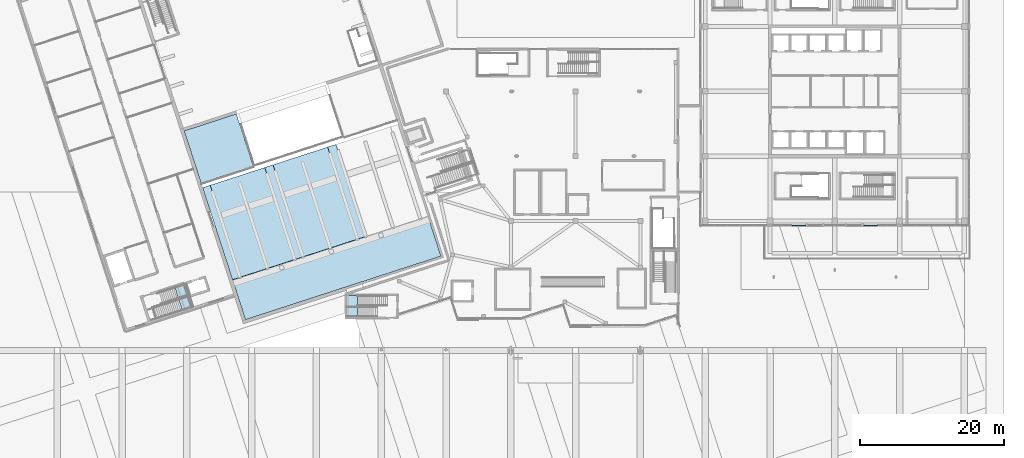
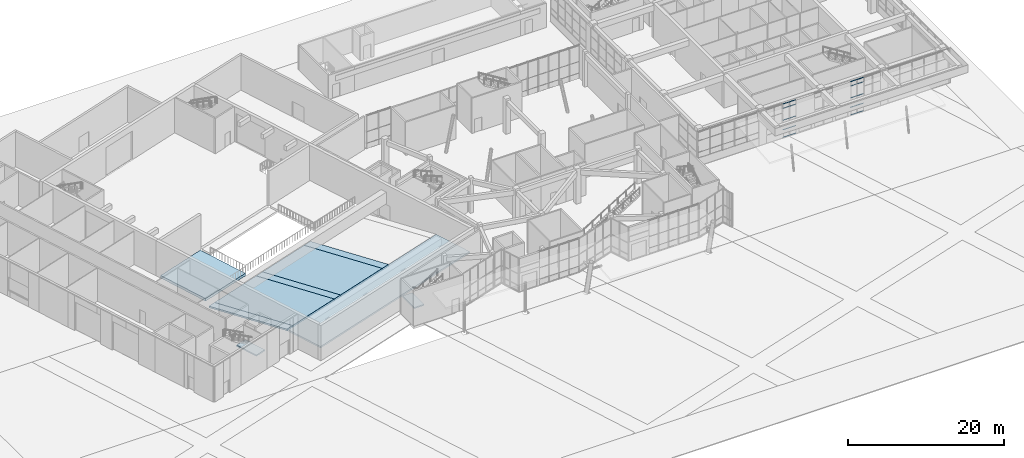
# One storey, part 42 of 72: 20 members, 9 slabs, 4 elements without a shape of their own.
"""IFC4 building model written with IfcOpenShell, lengths in metres."""

from ifc_helpers import new_model, si_unit, direction, frame, origin, origin_2d, place, context, subcontext, project, spatial, polyline, hollow_rectangle, outline, extrude, material, layer, layer_set, material_profile, profile_set, type_object, element, aggregate, save


model = new_model("IFC4")

# Units and contexts
model_context = context("Model", 3, precision=1e-05, world=origin(), true_north=direction((0.0, 1.0)))
body_context = subcontext(model_context, "Body", "Model", "MODEL_VIEW")
ifc_project = project(units=[si_unit("LENGTHUNIT", "METRE"), si_unit("AREAUNIT", "SQUARE_METRE"), si_unit("VOLUMEUNIT", "CUBIC_METRE"), si_unit("PLANEANGLEUNIT", "RADIAN"), si_unit("MASSUNIT", "GRAM", prefix="KILO")], contexts=[model_context])

# Site, building, storey
site_placement = place(None, origin())
site = spatial("IfcSite", under=ifc_project, at=site_placement, CompositionType="ELEMENT")
building_placement = place(site_placement, origin())
building = spatial("IfcBuilding", under=site, at=building_placement, Name="Tuart Plaza Theatre", CompositionType="ELEMENT")
storey_placement = place(building_placement, origin())
storey = spatial("IfcBuildingStorey", under=building, at=storey_placement, Name="L00", CompositionType="ELEMENT", Elevation=0.0)

# Curtain wall, members
ifc_material_1 = material(Name="Aluminium and glass", Category="aluminium")
ifc_layer_1 = layer(ifc_material_1, 0.10009765625)
ifc_layer_set_1 = layer_set([ifc_layer_1], Name="CURTAIN WALL 1000 module")
curtain_wall_type = type_object("IfcCurtainWallType", Name="CURTAIN WALL 1000 module", PredefinedType="NOTDEFINED", material=ifc_layer_set_1)
curtain_wall_1_placement = place(storey_placement, origin())
curtain_wall_1 = element("IfcCurtainWall", 1, at=curtain_wall_1_placement, inside=storey, type_object=curtain_wall_type, Name="CW62", PredefinedType="NOTDEFINED")
ifc_material_2 = material(Name="Aluminium 6063-T5", Category="aluminium")
ifc_material_profile = material_profile(ifc_material_2, hollow_rectangle(XDim=0.050048828125, YDim=0.050048828125, WallThickness=0.00390625, InnerFilletRadius=0.00390625, OuterFilletRadius=0.008056640625, at=origin_2d()), Name="RHS 50x50x4")
ifc_profile_set = profile_set([ifc_material_profile], Name="Aluminium 6063-T5")
member_type = type_object("IfcMemberType", Name="TRANSOM RHS 50x50x4", PredefinedType="USERDEFINED", material=ifc_profile_set)
member_1_placement = place(storey_placement, frame((126.050048828125, 55.35009765625, 0.02490234375), z_axis=(1.0, 0.0, 0.0), x_axis=(0.0, 1.0, 0.0)))
member_1 = element("IfcMember", 2, at=member_1_placement, type_object=member_type, Name="CW62 transom 1.1", ObjectType="TRANSOM", PredefinedType="USERDEFINED", context=body_context, shape_type="SweptSolid", body=[
    extrude(hollow_rectangle(XDim=0.050048828125, YDim=0.050048828125, WallThickness=0.00390625, InnerFilletRadius=0.00390625, OuterFilletRadius=0.008056640625, at=origin_2d()), origin(), (0.0, 0.0, 1.0), 0.925048828125),
])
member_2_placement = place(storey_placement, frame((126.050048828125, 55.35009765625, 1.199951171875), z_axis=(1.0, 0.0, 0.0), x_axis=(0.0, 1.0, 0.0)))
member_2 = element("IfcMember", 3, at=member_2_placement, type_object=member_type, Name="CW62 transom 1.2", ObjectType="TRANSOM", PredefinedType="USERDEFINED", context=body_context, shape_type="SweptSolid", body=[
    extrude(hollow_rectangle(XDim=0.050048828125, YDim=0.050048828125, WallThickness=0.00390625, InnerFilletRadius=0.00390625, OuterFilletRadius=0.008056640625, at=origin_2d()), origin(), (0.0, 0.0, 1.0), 0.925048828125),
])
member_3_placement = place(storey_placement, frame((126.050048828125, 55.35009765625, 2.699951171875), z_axis=(1.0, 0.0, 0.0), x_axis=(0.0, 1.0, 0.0)))
member_3 = element("IfcMember", 4, at=member_3_placement, type_object=member_type, Name="CW62 transom 1.3", ObjectType="TRANSOM", PredefinedType="USERDEFINED", context=body_context, shape_type="SweptSolid", body=[
    extrude(hollow_rectangle(XDim=0.050048828125, YDim=0.050048828125, WallThickness=0.00390625, InnerFilletRadius=0.00390625, OuterFilletRadius=0.008056640625, at=origin_2d()), origin(), (0.0, 0.0, 1.0), 0.925048828125),
])
member_4_placement = place(storey_placement, frame((126.050048828125, 55.35009765625, 4.550048828125), z_axis=(1.0, 0.0, 0.0), x_axis=(0.0, 1.0, 0.0)))
member_4 = element("IfcMember", 5, at=member_4_placement, type_object=member_type, Name="CW62 transom 1.4", ObjectType="TRANSOM", PredefinedType="USERDEFINED", context=body_context, shape_type="SweptSolid", body=[
    extrude(hollow_rectangle(XDim=0.050048828125, YDim=0.050048828125, WallThickness=0.00390625, InnerFilletRadius=0.00390625, OuterFilletRadius=0.008056640625, at=origin_2d()), origin(), (0.0, 0.0, 1.0), 0.925048828125),
])
member_5_placement = place(storey_placement, frame((126.050048828125, 55.35009765625, 5.22509765625), z_axis=(1.0, 0.0, 0.0), x_axis=(0.0, 1.0, 0.0)))
member_5 = element("IfcMember", 6, at=member_5_placement, type_object=member_type, Name="CW62 transom 1.5", ObjectType="TRANSOM", PredefinedType="USERDEFINED", context=body_context, shape_type="SweptSolid", body=[
    extrude(hollow_rectangle(XDim=0.050048828125, YDim=0.050048828125, WallThickness=0.00390625, InnerFilletRadius=0.00390625, OuterFilletRadius=0.008056640625, at=origin_2d()), origin(), (0.0, 0.0, 1.0), 0.925048828125),
])
member_6_placement = place(storey_placement, frame((127.02490234375, 55.35009765625, 0.02490234375), z_axis=(1.0, 0.0, 0.0), x_axis=(0.0, 1.0, 0.0)))
member_6 = element("IfcMember", 7, at=member_6_placement, type_object=member_type, Name="CW62 transom 2.1", ObjectType="TRANSOM", PredefinedType="USERDEFINED", context=body_context, shape_type="SweptSolid", body=[
    extrude(hollow_rectangle(XDim=0.050048828125, YDim=0.050048828125, WallThickness=0.00390625, InnerFilletRadius=0.00390625, OuterFilletRadius=0.008056640625, at=origin_2d()), origin(), (0.0, 0.0, 1.0), 0.925048828125),
])
member_7_placement = place(storey_placement, frame((127.02490234375, 55.35009765625, 1.199951171875), z_axis=(1.0, 0.0, 0.0), x_axis=(0.0, 1.0, 0.0)))
member_7 = element("IfcMember", 8, at=member_7_placement, type_object=member_type, Name="CW62 transom 2.2", ObjectType="TRANSOM", PredefinedType="USERDEFINED", context=body_context, shape_type="SweptSolid", body=[
    extrude(hollow_rectangle(XDim=0.050048828125, YDim=0.050048828125, WallThickness=0.00390625, InnerFilletRadius=0.00390625, OuterFilletRadius=0.008056640625, at=origin_2d()), origin(), (0.0, 0.0, 1.0), 0.925048828125),
])
member_8_placement = place(storey_placement, frame((127.02490234375, 55.35009765625, 2.699951171875), z_axis=(1.0, 0.0, 0.0), x_axis=(0.0, 1.0, 0.0)))
member_8 = element("IfcMember", 9, at=member_8_placement, type_object=member_type, Name="CW62 transom 2.3", ObjectType="TRANSOM", PredefinedType="USERDEFINED", context=body_context, shape_type="SweptSolid", body=[
    extrude(hollow_rectangle(XDim=0.050048828125, YDim=0.050048828125, WallThickness=0.00390625, InnerFilletRadius=0.00390625, OuterFilletRadius=0.008056640625, at=origin_2d()), origin(), (0.0, 0.0, 1.0), 0.925048828125),
])
member_9_placement = place(storey_placement, frame((127.02490234375, 55.35009765625, 4.550048828125), z_axis=(1.0, 0.0, 0.0), x_axis=(0.0, 1.0, 0.0)))
member_9 = element("IfcMember", 10, at=member_9_placement, type_object=member_type, Name="CW62 transom 2.4", ObjectType="TRANSOM", PredefinedType="USERDEFINED", context=body_context, shape_type="SweptSolid", body=[
    extrude(hollow_rectangle(XDim=0.050048828125, YDim=0.050048828125, WallThickness=0.00390625, InnerFilletRadius=0.00390625, OuterFilletRadius=0.008056640625, at=origin_2d()), origin(), (0.0, 0.0, 1.0), 0.925048828125),
])
member_10_placement = place(storey_placement, frame((127.02490234375, 55.35009765625, 5.22509765625), z_axis=(1.0, 0.0, 0.0), x_axis=(0.0, 1.0, 0.0)))
member_10 = element("IfcMember", 11, at=member_10_placement, type_object=member_type, Name="CW62 transom 2.5", ObjectType="TRANSOM", PredefinedType="USERDEFINED", context=body_context, shape_type="SweptSolid", body=[
    extrude(hollow_rectangle(XDim=0.050048828125, YDim=0.050048828125, WallThickness=0.00390625, InnerFilletRadius=0.00390625, OuterFilletRadius=0.008056640625, at=origin_2d()), origin(), (0.0, 0.0, 1.0), 0.925048828125),
])
aggregate(curtain_wall_1, [member_1, member_2, member_3, member_4, member_5, member_6, member_7, member_8, member_9, member_10])

curtain_wall_2_placement = place(storey_placement, origin())
curtain_wall_2 = element("IfcCurtainWall", 12, at=curtain_wall_2_placement, inside=storey, type_object=curtain_wall_type, Name="CW64", PredefinedType="NOTDEFINED")
member_11_placement = place(storey_placement, frame((136.050048828125, 55.35009765625, 0.02490234375), z_axis=(1.0, 0.0, 0.0), x_axis=(0.0, 1.0, 0.0)))
member_11 = element("IfcMember", 13, at=member_11_placement, type_object=member_type, Name="CW64 transom 1.1", ObjectType="TRANSOM", PredefinedType="USERDEFINED", context=body_context, shape_type="SweptSolid", body=[
    extrude(hollow_rectangle(XDim=0.050048828125, YDim=0.050048828125, WallThickness=0.00390625, InnerFilletRadius=0.00390625, OuterFilletRadius=0.008056640625, at=origin_2d()), origin(), (0.0, 0.0, 1.0), 0.925048828125),
])
member_12_placement = place(storey_placement, frame((136.050048828125, 55.35009765625, 1.199951171875), z_axis=(1.0, 0.0, 0.0), x_axis=(0.0, 1.0, 0.0)))
member_12 = element("IfcMember", 14, at=member_12_placement, type_object=member_type, Name="CW64 transom 1.2", ObjectType="TRANSOM", PredefinedType="USERDEFINED", context=body_context, shape_type="SweptSolid", body=[
    extrude(hollow_rectangle(XDim=0.050048828125, YDim=0.050048828125, WallThickness=0.00390625, InnerFilletRadius=0.00390625, OuterFilletRadius=0.008056640625, at=origin_2d()), origin(), (0.0, 0.0, 1.0), 0.925048828125),
])
member_13_placement = place(storey_placement, frame((136.050048828125, 55.35009765625, 2.699951171875), z_axis=(1.0, 0.0, 0.0), x_axis=(0.0, 1.0, 0.0)))
member_13 = element("IfcMember", 15, at=member_13_placement, type_object=member_type, Name="CW64 transom 1.3", ObjectType="TRANSOM", PredefinedType="USERDEFINED", context=body_context, shape_type="SweptSolid", body=[
    extrude(hollow_rectangle(XDim=0.050048828125, YDim=0.050048828125, WallThickness=0.00390625, InnerFilletRadius=0.00390625, OuterFilletRadius=0.008056640625, at=origin_2d()), origin(), (0.0, 0.0, 1.0), 0.925048828125),
])
member_14_placement = place(storey_placement, frame((136.050048828125, 55.35009765625, 4.550048828125), z_axis=(1.0, 0.0, 0.0), x_axis=(0.0, 1.0, 0.0)))
member_14 = element("IfcMember", 16, at=member_14_placement, type_object=member_type, Name="CW64 transom 1.4", ObjectType="TRANSOM", PredefinedType="USERDEFINED", context=body_context, shape_type="SweptSolid", body=[
    extrude(hollow_rectangle(XDim=0.050048828125, YDim=0.050048828125, WallThickness=0.00390625, InnerFilletRadius=0.00390625, OuterFilletRadius=0.008056640625, at=origin_2d()), origin(), (0.0, 0.0, 1.0), 0.925048828125),
])
member_15_placement = place(storey_placement, frame((136.050048828125, 55.35009765625, 5.22509765625), z_axis=(1.0, 0.0, 0.0), x_axis=(0.0, 1.0, 0.0)))
member_15 = element("IfcMember", 17, at=member_15_placement, type_object=member_type, Name="CW64 transom 1.5", ObjectType="TRANSOM", PredefinedType="USERDEFINED", context=body_context, shape_type="SweptSolid", body=[
    extrude(hollow_rectangle(XDim=0.050048828125, YDim=0.050048828125, WallThickness=0.00390625, InnerFilletRadius=0.00390625, OuterFilletRadius=0.008056640625, at=origin_2d()), origin(), (0.0, 0.0, 1.0), 0.925048828125),
])
member_16_placement = place(storey_placement, frame((137.02490234375, 55.35009765625, 0.02490234375), z_axis=(1.0, 0.0, 0.0), x_axis=(0.0, 1.0, 0.0)))
member_16 = element("IfcMember", 18, at=member_16_placement, type_object=member_type, Name="CW64 transom 2.1", ObjectType="TRANSOM", PredefinedType="USERDEFINED", context=body_context, shape_type="SweptSolid", body=[
    extrude(hollow_rectangle(XDim=0.050048828125, YDim=0.050048828125, WallThickness=0.00390625, InnerFilletRadius=0.00390625, OuterFilletRadius=0.008056640625, at=origin_2d()), origin(), (0.0, 0.0, 1.0), 0.925048828125),
])
member_17_placement = place(storey_placement, frame((137.02490234375, 55.35009765625, 1.199951171875), z_axis=(1.0, 0.0, 0.0), x_axis=(0.0, 1.0, 0.0)))
member_17 = element("IfcMember", 19, at=member_17_placement, type_object=member_type, Name="CW64 transom 2.2", ObjectType="TRANSOM", PredefinedType="USERDEFINED", context=body_context, shape_type="SweptSolid", body=[
    extrude(hollow_rectangle(XDim=0.050048828125, YDim=0.050048828125, WallThickness=0.00390625, InnerFilletRadius=0.00390625, OuterFilletRadius=0.008056640625, at=origin_2d()), origin(), (0.0, 0.0, 1.0), 0.925048828125),
])
member_18_placement = place(storey_placement, frame((137.02490234375, 55.35009765625, 2.699951171875), z_axis=(1.0, 0.0, 0.0), x_axis=(0.0, 1.0, 0.0)))
member_18 = element("IfcMember", 20, at=member_18_placement, type_object=member_type, Name="CW64 transom 2.3", ObjectType="TRANSOM", PredefinedType="USERDEFINED", context=body_context, shape_type="SweptSolid", body=[
    extrude(hollow_rectangle(XDim=0.050048828125, YDim=0.050048828125, WallThickness=0.00390625, InnerFilletRadius=0.00390625, OuterFilletRadius=0.008056640625, at=origin_2d()), origin(), (0.0, 0.0, 1.0), 0.925048828125),
])
member_19_placement = place(storey_placement, frame((137.02490234375, 55.35009765625, 4.550048828125), z_axis=(1.0, 0.0, 0.0), x_axis=(0.0, 1.0, 0.0)))
member_19 = element("IfcMember", 21, at=member_19_placement, type_object=member_type, Name="CW64 transom 2.4", ObjectType="TRANSOM", PredefinedType="USERDEFINED", context=body_context, shape_type="SweptSolid", body=[
    extrude(hollow_rectangle(XDim=0.050048828125, YDim=0.050048828125, WallThickness=0.00390625, InnerFilletRadius=0.00390625, OuterFilletRadius=0.008056640625, at=origin_2d()), origin(), (0.0, 0.0, 1.0), 0.925048828125),
])
member_20_placement = place(storey_placement, frame((137.02490234375, 55.35009765625, 5.22509765625), z_axis=(1.0, 0.0, 0.0), x_axis=(0.0, 1.0, 0.0)))
member_20 = element("IfcMember", 22, at=member_20_placement, type_object=member_type, Name="CW64 transom 2.5", ObjectType="TRANSOM", PredefinedType="USERDEFINED", context=body_context, shape_type="SweptSolid", body=[
    extrude(hollow_rectangle(XDim=0.050048828125, YDim=0.050048828125, WallThickness=0.00390625, InnerFilletRadius=0.00390625, OuterFilletRadius=0.008056640625, at=origin_2d()), origin(), (0.0, 0.0, 1.0), 0.925048828125),
])
aggregate(curtain_wall_2, [member_11, member_12, member_13, member_14, member_15, member_16, member_17, member_18, member_19, member_20])

# Slabs
ifc_material_3 = material(Name="Concrete N40 (40 MPa)", Category="concrete")
ifc_layer_2 = layer(ifc_material_3, 0.25)
ifc_layer_set_2 = layer_set([ifc_layer_2], Name="SLAB Floor 250 Concrete N40 (40 MPa)")
slab_type_1 = type_object("IfcSlabType", Name="SLAB Floor 250 Concrete N40 (40 MPa)", PredefinedType="FLOOR", material=ifc_layer_set_2)
slab_1_placement = place(storey_placement, frame((48.3447265625, 47.822509765625, 1.790283203125), z_axis=(-0.060591709871, 0.186519739079, 0.980580966381), x_axis=(0.951074837842, 0.308960600764, 0.0)))
element("IfcSlab", 23, at=slab_1_placement, inside=storey, type_object=slab_type_1, Name="S34", PredefinedType="FLOOR", context=body_context, shape_type="SweptSolid", body=[
    extrude(outline(polyline([(0.0, 0.0), (1.099958212015386, 0.0), (1.099269101957086, 13.717410261200952), (-0.0006891100582997467, 13.717410261200953), (0.0, 0.0)])), origin(), (0.0, 0.0, -1.0), 0.25),
])
slab_2_placement = place(storey_placement, frame((56.9833984375, 50.62939453125, 1.790283203125), z_axis=(-0.060602784572, 0.186516140799, 0.980580966429), x_axis=(0.951056491178, 0.309017071679, 0.0)))
element("IfcSlab", 24, at=slab_2_placement, inside=storey, type_object=slab_type_1, Name="S35", PredefinedType="FLOOR", context=body_context, shape_type="SweptSolid", body=[
    extrude(outline(polyline([(0.0, 0.0), (1.2000942451502452, -5.551115123125783e-17), (1.2002038097506142, 13.717410278072512), (0.00010956460036881666, 13.717410278072512), (0.0, 0.0)])), origin(), (0.0, 0.0, -1.0), 0.25),
])
slab_3_placement = place(storey_placement, frame((65.71728515625, 53.46728515625, 1.790283203125), z_axis=(-0.060603790478, 0.186519236658, 0.980580315393), x_axis=(0.951056491178, 0.309017071679, 0.0)))
element("IfcSlab", 25, at=slab_3_placement, inside=storey, type_object=slab_type_1, Name="S36", PredefinedType="FLOOR", context=body_context, shape_type="SweptSolid", body=[
    extrude(outline(polyline([(0.0, 0.0), (1.2000942451502452, 0.0), (1.200128366129599, 13.717182595556972), (3.412097935353185e-05, 13.717182595556972), (0.0, 0.0)])), origin(), (0.0, 0.0, -1.0), 0.25),
])
slab_4_placement = place(storey_placement, frame((0.0, 0.0, 1.550048828125)))
element("IfcSlab", 26, at=slab_4_placement, inside=storey, type_object=slab_type_1, Name="S38", PredefinedType="FLOOR", context=body_context, shape_type="SweptSolid", body=[
    extrude(outline(polyline([(77.297119140625, 51.10595703125), (75.512451171875, 56.598388671875), (48.35986328125, 47.77587890625), (50.14453125, 42.283447265625), (77.297119140625, 51.10595703125)])), origin(), (0.0, 0.0, 1.0), 0.25),
])
ifc_material_4 = material(Name="Concrete N40 (40 MPa)", Category="concrete")
ifc_layer_3 = layer(ifc_material_4, 0.39990234375)
ifc_layer_set_3 = layer_set([ifc_layer_3], Name="SLAB Floor 400 Concrete N40 (40 MPa)")
slab_type_2 = type_object("IfcSlabType", Name="SLAB Floor 400 Concrete N40 (40 MPa)", PredefinedType="FLOOR", material=ifc_layer_set_3)
slab_5_placement = place(storey_placement, frame((0.0, 0.0, -0.39990234375)))
element("IfcSlab", 27, at=slab_5_placement, inside=storey, type_object=slab_type_2, Name="S48", PredefinedType="FLOOR", context=body_context, shape_type="SweptSolid", body=[
    extrude(outline(polyline([(51.27001953125, 63.494384765625), (48.875, 70.865234375), (41.623291015625, 68.5087890625), (44.018310546875, 61.13818359375), (51.27001953125, 63.494384765625)])), origin(), (0.0, 0.0, 1.0), 0.39990234375),
])
ifc_material_5 = material(Name="Concrete N40 (40 MPa)", Category="concrete")
ifc_layer_4 = layer(ifc_material_5, 0.25)
ifc_layer_set_4 = layer_set([ifc_layer_4], Name="SLAB Seating Tier 250 Concrete N40 (40 MPa)")
slab_type_3 = type_object("IfcSlabType", Name="SLAB Seating Tier 250 Concrete N40 (40 MPa)", PredefinedType="USERDEFINED", material=ifc_layer_set_4)
slab_6_placement = place(storey_placement, frame((49.390869140625, 48.162353515625, 1.790283203125), z_axis=(-0.060604518182, 0.18651557753, 0.980580966425), x_axis=(0.951053618925, 0.30902591142, 0.0)))
element("IfcSlab", 28, at=slab_6_placement, inside=storey, type_object=slab_type_3, Name="TR1", ObjectType="SEATING TIER", PredefinedType="USERDEFINED", context=body_context, shape_type="SweptSolid", body=[
    extrude(outline(polyline([(0.0, 0.0), (7.983282062953884, -4.440892098500626e-16), (7.983516650423558, 13.717410276504186), (0.00023458746967408572, 13.717410276504186), (0.0, 0.0)])), origin(), (0.0, 0.0, -1.0), 0.25),
])
slab_7_placement = place(storey_placement, frame((58.124755859375, 51.000244140625, 1.790283203125), z_axis=(-0.060602308727, 0.18651800674, 0.980580640916), x_axis=(0.951053791767, 0.309025379472, -2.796615e-06)))
element("IfcSlab", 29, at=slab_7_placement, inside=storey, type_object=slab_type_3, Name="TR2", ObjectType="SEATING TIER", PredefinedType="USERDEFINED", context=body_context, shape_type="SweptSolid", body=[
    extrude(outline(polyline([(0.0, 0.0), (7.9832820629214165, -4.440892098500626e-16), (7.983441204676871, 13.717182594657361), (0.00023458740474008397, 13.717410276485289), (0.0, 0.0)])), origin(), (0.0, 0.0, -1.0), 0.25),
])

# Stair, slab
ifc_material_6 = material(Name="Concrete N40 (40 MPa)", Category="concrete")
stair_type_1 = type_object("IfcStairType", Name="STAIR half turn 1600", PredefinedType="HALF_TURN_STAIR", material=ifc_material_6)
stair_1_placement = place(storey_placement, origin())
stair_1 = element("IfcStair", 30, at=stair_1_placement, inside=storey, type_object=stair_type_1, Name="SA-1", PredefinedType="HALF_TURN_STAIR")
ifc_material_7 = material(Name="Concrete N40 (40 MPa)", Category="concrete")
ifc_layer_5 = layer(ifc_material_7, 0.199951171875)
ifc_layer_set_5 = layer_set([ifc_layer_5], Name="STAIR LANDING 200")
slab_type_4 = type_object("IfcSlabType", Name="STAIR LANDING 200", PredefinedType="LANDING", material=ifc_layer_set_5)
slab_8_placement = place(storey_placement, frame((0.0, 0.0, 2.550048828125)))
slab_8 = element("IfcSlab", 31, at=slab_8_placement, type_object=slab_type_4, Name="SA-1 landing 1", PredefinedType="LANDING", context=body_context, shape_type="SweptSolid", body=[
    extrude(outline(polyline([(41.374755859375, 43.563232421875), (42.925048828125, 44.06689453125), (41.87548828125, 47.296630859375), (40.325439453125, 46.79296875), (41.374755859375, 43.563232421875)])), origin(), (0.0, 0.0, 1.0), 0.199951171875),
])
aggregate(stair_1, [slab_8])

ifc_material_8 = material(Name="Concrete N40 (40 MPa)", Category="concrete")
stair_type_2 = type_object("IfcStairType", Name="STAIR half turn 1400", PredefinedType="HALF_TURN_STAIR", material=ifc_material_8)
stair_2_placement = place(storey_placement, origin())
stair_2 = element("IfcStair", 32, at=stair_2_placement, inside=storey, type_object=stair_type_2, Name="SB-1", PredefinedType="HALF_TURN_STAIR")
slab_9_placement = place(storey_placement, frame((0.0, 0.0, 2.550048828125)))
slab_9 = element("IfcSlab", 33, at=slab_9_placement, type_object=slab_type_4, Name="SB-1 landing 1", PredefinedType="LANDING", context=body_context, shape_type="SweptSolid", body=[
    extrude(outline(polyline([(65.669921875, 45.64794921875), (64.201904296875, 45.64794921875), (64.201904296875, 42.652099609375), (65.669921875, 42.652099609375), (65.669921875, 45.64794921875)])), origin(), (0.0, 0.0, 1.0), 0.199951171875),
])
aggregate(stair_2, [slab_9])

save(model, "model.ifc")
